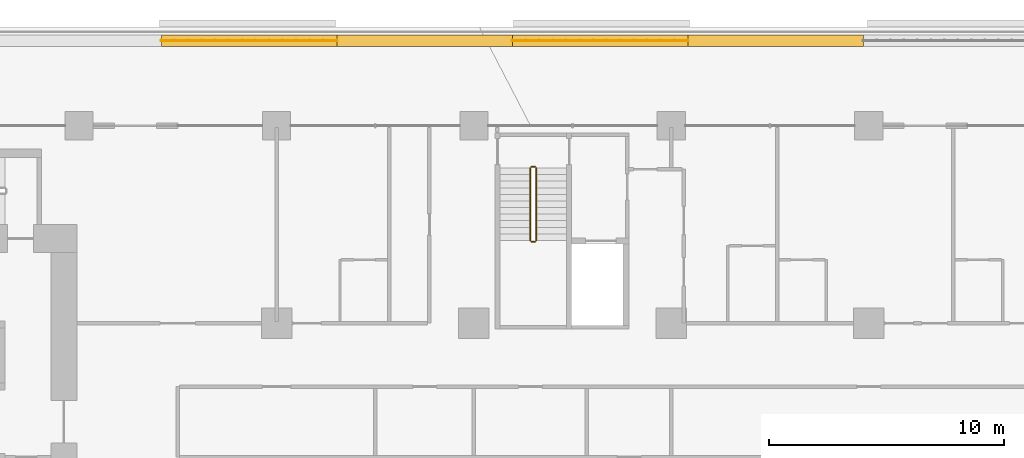
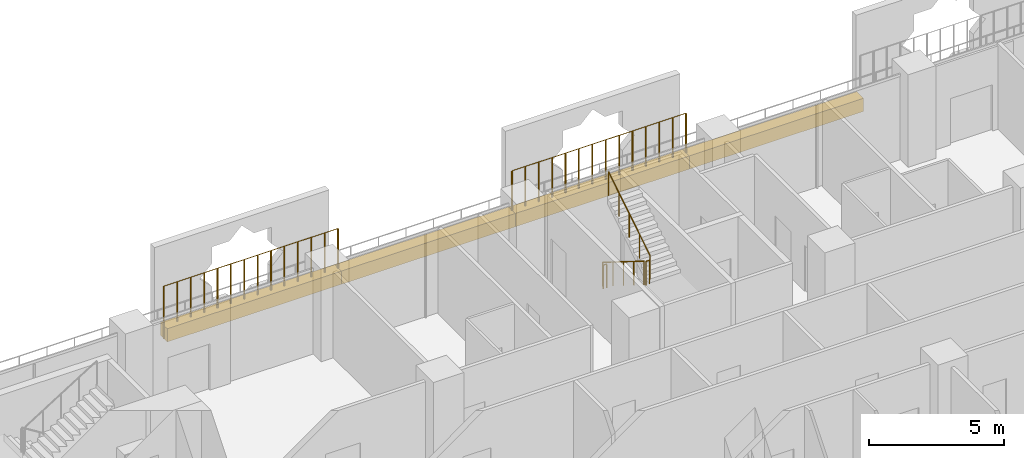
# One storey, part 26 of 27: 6 railings, 4 coverings.
"""IFC4 building model written with IfcOpenShell, lengths in metres."""

from ifc_helpers import new_model, si_unit, direction, frame, origin, origin_2d, place, context, subcontext, project, spatial, rectangle, circle, extrude, material, material_profile, profile_set, type_object, element, save


model = new_model("IFC4")

# Units and contexts
model_context = context("Model", 3, precision=1e-05, world=origin(), true_north=direction((0.0, 1.0)))
body_context = subcontext(model_context, "Body", "Model", "MODEL_VIEW")
ifc_project = project(units=[si_unit("LENGTHUNIT", "METRE"), si_unit("AREAUNIT", "SQUARE_METRE"), si_unit("VOLUMEUNIT", "CUBIC_METRE"), si_unit("PLANEANGLEUNIT", "RADIAN"), si_unit("MASSUNIT", "GRAM", prefix="KILO")], contexts=[model_context])

# Site, building, storey
site_placement = place(None, origin())
site = spatial("IfcSite", under=ifc_project, at=site_placement, CompositionType="ELEMENT")
building_placement = place(site_placement, origin())
building = spatial("IfcBuilding", under=site, at=building_placement, Name="Kawkab Arch Medical Tower", CompositionType="ELEMENT")
storey_placement = place(building_placement, frame((0.0, 0.0, 85.39990234375)))
storey = spatial("IfcBuildingStorey", under=building, at=storey_placement, Name="L19", CompositionType="ELEMENT", Elevation=85.39990234375)

# Coverings
ifc_material_1 = material(Name="Planting soil in a precast trough", Category="concrete")
ifc_material_profile = material_profile(ifc_material_1, rectangle(XDim=0.5, YDim=0.60009765625, at=origin_2d()), Name="Trough 500x600")
ifc_profile_set = profile_set([ifc_material_profile], Name="Planting soil in a precast trough")
covering_type = type_object("IfcCoveringType", Name="Planter trough 500 x 600", PredefinedType="USERDEFINED", material=ifc_profile_set)
for number, where, z_axis, x_axis, name in (
    (1, (28.695068359375, 3.6201171875, 0.300048828125), (1.0, 0.0, 0.0), (0.0, 1.0, 0.0), "Planter L19.LOG-01-01.23"),
    (2, (36.1650390625, 3.6201171875, 0.300048828125), (1.0, 0.0, 0.0), (0.0, 1.0, 0.0), "Planter L19.LOG-01-01.24"),
    (3, (43.635009765625, 3.6201171875, 0.300048828125), (1.0, 0.0, 0.0), (0.0, 1.0, 0.0), "Planter L19.LOG-01-01.25"),
):
    element("IfcCovering", number, at=place(storey_placement, frame(where, z_axis=z_axis, x_axis=x_axis)), inside=storey, type_object=covering_type, Name=name, ObjectType="PLANTER", PredefinedType="USERDEFINED", context=body_context, shape_type="SweptSolid", body=[
        extrude(rectangle(XDim=0.5, YDim=0.60009765625, at=origin_2d()), origin(), (0.0, 0.0, 1.0), 7.469970703125),
    ])
covering_placement = place(storey_placement, frame((51.10498046875, 3.6201171875, 0.300048828125), z_axis=(1.0, 0.0, 0.0), x_axis=(0.0, 1.0, 0.0)))
element("IfcCovering", 4, at=covering_placement, inside=storey, type_object=covering_type, Name="Planter L19.LOG-01-01.26", ObjectType="PLANTER", PredefinedType="USERDEFINED", context=body_context, shape_type="SweptSolid", body=[
    extrude(rectangle(XDim=0.5, YDim=0.60009765625, at=origin_2d()), origin(), (0.0, 0.0, 1.0), 7.470947265625),
])

# Railings
ifc_material_2 = material(Name="Bronze anodised aluminium trellis for climbing plants", Category="aluminium")
railing_type_1 = type_object("IfcRailingType", Name="Planting trellis 2400", PredefinedType="USERDEFINED", material=ifc_material_2)
railing_1_placement = place(storey_placement, frame((28.695068359375, 3.6201171875, 0.0)))
element("IfcRailing", 5, at=railing_1_placement, inside=storey, type_object=railing_type_1, Name="Planting trellis L19.LOG-01-01.23", ObjectType="TRELLIS", PredefinedType="USERDEFINED", context=body_context, shape_type="SweptSolid", body=[
    extrude(circle(Radius=0.01513671875, at=origin_2d()), frame((0.0, 0.0, 2.384765625), z_axis=(1.0, 0.0, 0.0), x_axis=(0.0, 1.0, 0.0)), (0.0, 0.0, 1.0), 7.469970703125),
    extrude(circle(Radius=0.030029296875, at=origin_2d()), origin(), (0.0, 0.0, 1.0), 2.369873046875),
    extrude(circle(Radius=0.030029296875, at=origin_2d()), frame((0.57470703125, 0.0, 0.0)), (0.0, 0.0, 1.0), 2.369873046875),
    extrude(circle(Radius=0.030029296875, at=origin_2d()), frame((1.149169921875, 0.0, 0.0)), (0.0, 0.0, 1.0), 2.369873046875),
    extrude(circle(Radius=0.030029296875, at=origin_2d()), frame((1.723876953125, 0.0, 0.0)), (0.0, 0.0, 1.0), 2.369873046875),
    extrude(circle(Radius=0.030029296875, at=origin_2d()), frame((2.29833984375, 0.0, 0.0)), (0.0, 0.0, 1.0), 2.369873046875),
    extrude(circle(Radius=0.030029296875, at=origin_2d()), frame((2.873046875, 0.0, 0.0)), (0.0, 0.0, 1.0), 2.369873046875),
    extrude(circle(Radius=0.030029296875, at=origin_2d()), frame((3.44775390625, 0.0, 0.0)), (0.0, 0.0, 1.0), 2.369873046875),
    extrude(circle(Radius=0.030029296875, at=origin_2d()), frame((4.022216796875, 0.0, 0.0)), (0.0, 0.0, 1.0), 2.369873046875),
    extrude(circle(Radius=0.030029296875, at=origin_2d()), frame((4.596923828125, 0.0, 0.0)), (0.0, 0.0, 1.0), 2.369873046875),
    extrude(circle(Radius=0.030029296875, at=origin_2d()), frame((5.171630859375, 0.0, 0.0)), (0.0, 0.0, 1.0), 2.369873046875),
    extrude(circle(Radius=0.030029296875, at=origin_2d()), frame((5.74609375, 0.0, 0.0)), (0.0, 0.0, 1.0), 2.369873046875),
    extrude(circle(Radius=0.030029296875, at=origin_2d()), frame((6.32080078125, 0.0, 0.0)), (0.0, 0.0, 1.0), 2.369873046875),
    extrude(circle(Radius=0.030029296875, at=origin_2d()), frame((6.895263671875, 0.0, 0.0)), (0.0, 0.0, 1.0), 2.369873046875),
    extrude(circle(Radius=0.030029296875, at=origin_2d()), frame((7.469970703125, 0.0, 0.0)), (0.0, 0.0, 1.0), 2.369873046875),
])
railing_2_placement = place(storey_placement, frame((43.635009765625, 3.6201171875, 0.0)))
element("IfcRailing", 6, at=railing_2_placement, inside=storey, type_object=railing_type_1, Name="Planting trellis L19.LOG-01-01.25", ObjectType="TRELLIS", PredefinedType="USERDEFINED", context=body_context, shape_type="SweptSolid", body=[
    extrude(circle(Radius=0.01513671875, at=origin_2d()), frame((0.0, 0.0, 2.384765625), z_axis=(1.0, 0.0, 0.0), x_axis=(0.0, 1.0, 0.0)), (0.0, 0.0, 1.0), 7.469970703125),
    extrude(circle(Radius=0.030029296875, at=origin_2d()), origin(), (0.0, 0.0, 1.0), 2.369873046875),
    extrude(circle(Radius=0.030029296875, at=origin_2d()), frame((0.57470703125, 0.0, 0.0)), (0.0, 0.0, 1.0), 2.369873046875),
    extrude(circle(Radius=0.030029296875, at=origin_2d()), frame((1.149169921875, 0.0, 0.0)), (0.0, 0.0, 1.0), 2.369873046875),
    extrude(circle(Radius=0.030029296875, at=origin_2d()), frame((1.723876953125, 0.0, 0.0)), (0.0, 0.0, 1.0), 2.369873046875),
    extrude(circle(Radius=0.030029296875, at=origin_2d()), frame((2.29833984375, 0.0, 0.0)), (0.0, 0.0, 1.0), 2.369873046875),
    extrude(circle(Radius=0.030029296875, at=origin_2d()), frame((2.873046875, 0.0, 0.0)), (0.0, 0.0, 1.0), 2.369873046875),
    extrude(circle(Radius=0.030029296875, at=origin_2d()), frame((3.44775390625, 0.0, 0.0)), (0.0, 0.0, 1.0), 2.369873046875),
    extrude(circle(Radius=0.030029296875, at=origin_2d()), frame((4.022216796875, 0.0, 0.0)), (0.0, 0.0, 1.0), 2.369873046875),
    extrude(circle(Radius=0.030029296875, at=origin_2d()), frame((4.596923828125, 0.0, 0.0)), (0.0, 0.0, 1.0), 2.369873046875),
    extrude(circle(Radius=0.030029296875, at=origin_2d()), frame((5.171630859375, 0.0, 0.0)), (0.0, 0.0, 1.0), 2.369873046875),
    extrude(circle(Radius=0.030029296875, at=origin_2d()), frame((5.74609375, 0.0, 0.0)), (0.0, 0.0, 1.0), 2.369873046875),
    extrude(circle(Radius=0.030029296875, at=origin_2d()), frame((6.32080078125, 0.0, 0.0)), (0.0, 0.0, 1.0), 2.369873046875),
    extrude(circle(Radius=0.030029296875, at=origin_2d()), frame((6.895263671875, 0.0, 0.0)), (0.0, 0.0, 1.0), 2.369873046875),
    extrude(circle(Radius=0.030029296875, at=origin_2d()), frame((7.469970703125, 0.0, 0.0)), (0.0, 0.0, 1.0), 2.369873046875),
])
ifc_material_3 = material(Name="Stainless steel", Category="steel")
railing_type_2 = type_object("IfcRailingType", Name="Stair guard 1100", PredefinedType="GUARDRAIL", material=ifc_material_3)
railing_3_placement = place(storey_placement, frame((44.39990234375, -1.800048828125, 0.175048828125)))
element("IfcRailing", 7, at=railing_3_placement, inside=storey, type_object=railing_type_2, Name="L19 ST5 stair guard 1", PredefinedType="GUARDRAIL", context=body_context, shape_type="SweptSolid", body=[
    extrude(circle(Radius=0.02392578125, at=origin_2d()), frame((0.0, 0.0, 1.076171875), z_axis=(0.0, -0.847979421464, 0.530029150871), x_axis=(1.0, 0.0, 0.0)), (0.0, 0.0, 1.0), 3.632080078125),
    extrude(circle(Radius=0.02099609375, at=origin_2d()), origin(), (0.0, 0.0, 1.0), 1.052001953125),
    extrude(circle(Radius=0.02099609375, at=origin_2d()), frame((0.0, -0.77001953125, 0.481201171875)), (0.0, 0.0, 1.0), 1.052001953125),
    extrude(circle(Radius=0.02099609375, at=origin_2d()), frame((0.0, -1.5400390625, 0.96240234375)), (0.0, 0.0, 1.0), 1.052001953125),
    extrude(circle(Radius=0.02099609375, at=origin_2d()), frame((0.0, -2.309814453125, 1.44384765625)), (0.0, 0.0, 1.0), 1.052001953125),
    extrude(circle(Radius=0.02099609375, at=origin_2d()), frame((0.0, -3.079833984375, 1.925048828125)), (0.0, 0.0, 1.0), 1.052001953125),
])
railing_4_placement = place(storey_placement, frame((44.449951171875, -4.929931640625, 2.10009765625)))
element("IfcRailing", 8, at=railing_4_placement, inside=storey, type_object=railing_type_2, Name="L19 ST5 stair guard 2", PredefinedType="GUARDRAIL", context=body_context, shape_type="SweptSolid", body=[
    extrude(circle(Radius=0.02392578125, at=origin_2d()), frame((0.0, 0.0, 1.076171875), z_axis=(1.0, 0.0, 0.0), x_axis=(0.0, 1.0, 0.0)), (0.0, 0.0, 1.0), 0.150146484375),
    extrude(circle(Radius=0.02099609375, at=origin_2d()), origin(), (0.0, 0.0, 1.0), 1.052001953125),
    extrude(circle(Radius=0.02099609375, at=origin_2d()), frame((0.150146484375, 0.0, 0.0)), (0.0, 0.0, 1.0), 1.052001953125),
])
railing_5_placement = place(storey_placement, frame((44.64990234375, -4.8798828125, 2.275146484375)))
element("IfcRailing", 9, at=railing_5_placement, inside=storey, type_object=railing_type_2, Name="L19 ST5 stair guard 3", PredefinedType="GUARDRAIL", context=body_context, shape_type="SweptSolid", body=[
    extrude(circle(Radius=0.02392578125, at=origin_2d()), frame((0.0, 0.0, 1.076171875), z_axis=(0.0, 0.847979421464, 0.530029150871), x_axis=(-1.0, 0.0, 0.0)), (0.0, 0.0, 1.0), 3.632080078125),
    extrude(circle(Radius=0.02099609375, at=origin_2d()), origin(), (0.0, 0.0, 1.0), 1.052001953125),
    extrude(circle(Radius=0.02099609375, at=origin_2d()), frame((0.0, 0.77001953125, 0.481201171875)), (0.0, 0.0, 1.0), 1.052001953125),
    extrude(circle(Radius=0.02099609375, at=origin_2d()), frame((0.0, 1.5400390625, 0.96240234375)), (0.0, 0.0, 1.0), 1.052001953125),
    extrude(circle(Radius=0.02099609375, at=origin_2d()), frame((0.0, 2.309814453125, 1.44384765625)), (0.0, 0.0, 1.0), 1.052001953125),
    extrude(circle(Radius=0.02099609375, at=origin_2d()), frame((0.0, 3.079833984375, 1.925048828125)), (0.0, 0.0, 1.0), 1.052001953125),
])
railing_6_placement = place(storey_placement, frame((44.449951171875, -1.75, 0.0)))
element("IfcRailing", 10, at=railing_6_placement, inside=storey, type_object=railing_type_2, Name="L19 ST5 stair guard 4", PredefinedType="GUARDRAIL", context=body_context, shape_type="SweptSolid", body=[
    extrude(circle(Radius=0.02392578125, at=origin_2d()), frame((0.0, 0.0, 1.076171875), z_axis=(1.0, 0.0, 0.0), x_axis=(0.0, 1.0, 0.0)), (0.0, 0.0, 1.0), 0.150146484375),
    extrude(circle(Radius=0.02099609375, at=origin_2d()), origin(), (0.0, 0.0, 1.0), 1.052001953125),
    extrude(circle(Radius=0.02099609375, at=origin_2d()), frame((0.150146484375, 0.0, 0.0)), (0.0, 0.0, 1.0), 1.052001953125),
])

save(model, "model.ifc")
